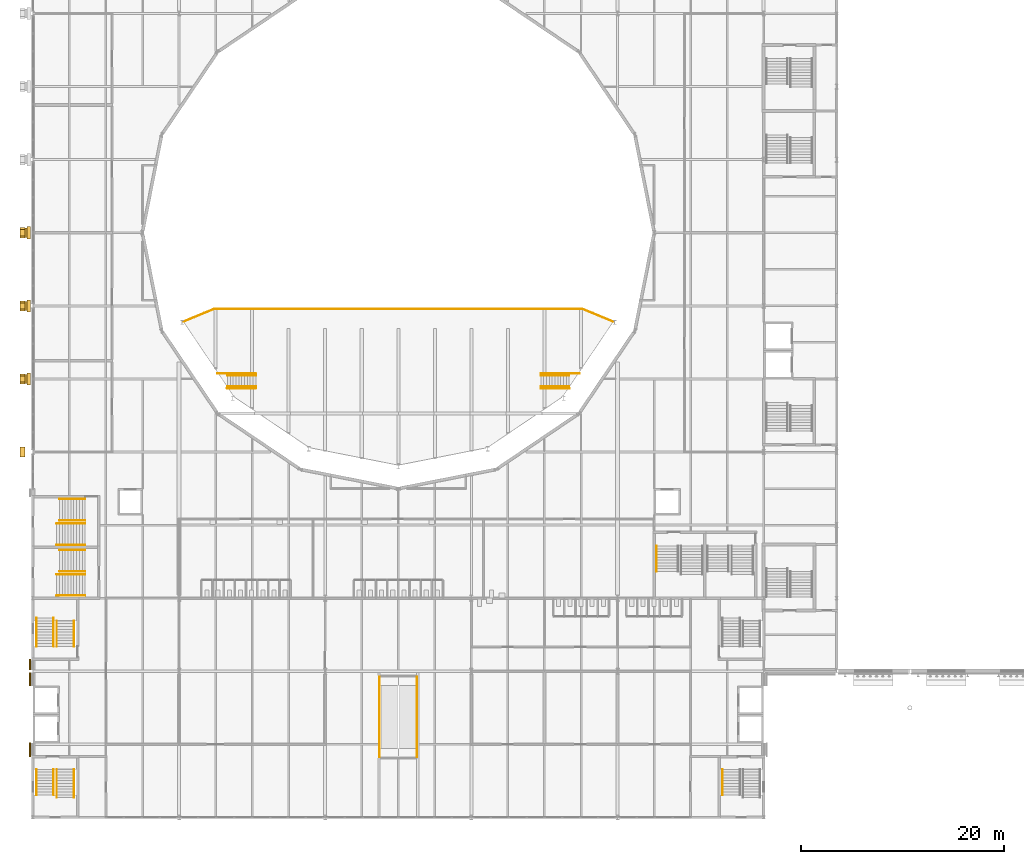
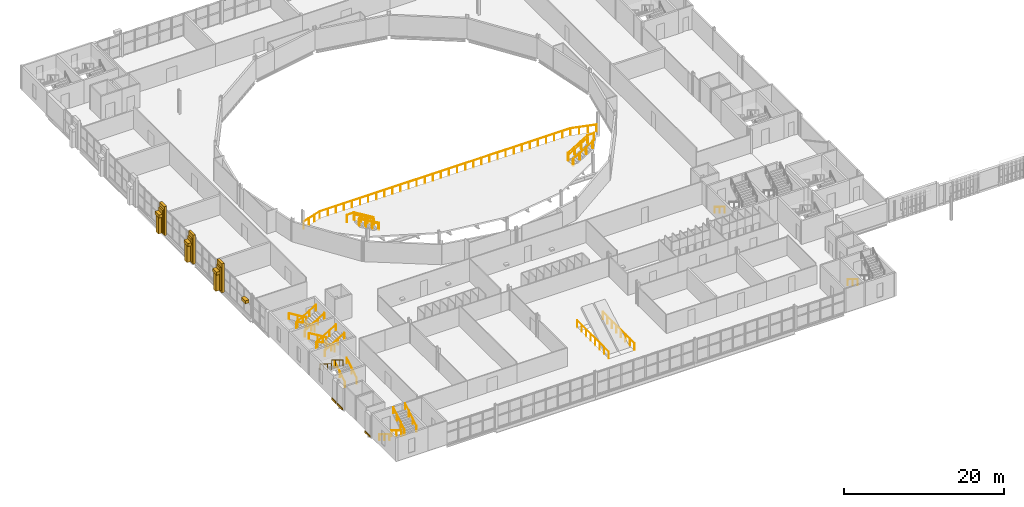
# One storey, part 101 of 124: 29 railings, 16 coverings.
"""IFC4 building model written with IfcOpenShell, lengths in metres."""

from ifc_helpers import new_model, si_unit, direction, frame, origin, origin_2d, place, context, subcontext, project, spatial, rectangle, circle, extrude, material, layer, layer_set, type_object, element, save


model = new_model("IFC4")

# Units and contexts
model_context = context("Model", 3, precision=1e-05, world=origin(), true_north=direction((0.0, 1.0)))
body_context = subcontext(model_context, "Body", "Model", "MODEL_VIEW")
ifc_project = project(units=[si_unit("LENGTHUNIT", "METRE"), si_unit("AREAUNIT", "SQUARE_METRE"), si_unit("VOLUMEUNIT", "CUBIC_METRE"), si_unit("PLANEANGLEUNIT", "RADIAN"), si_unit("MASSUNIT", "GRAM", prefix="KILO")], contexts=[model_context])

# Site, building, storey
site_placement = place(None, origin())
site = spatial("IfcSite", under=ifc_project, at=site_placement, CompositionType="ELEMENT")
building_placement = place(site_placement, origin())
building = spatial("IfcBuilding", under=site, at=building_placement, Name="Kupolbacken Congress Centre", CompositionType="ELEMENT")
storey_placement = place(building_placement, frame((0.0, 0.0, 10.800048828125)))
storey = spatial("IfcBuildingStorey", under=building, at=storey_placement, Name="L03", CompositionType="ELEMENT", Elevation=10.800048828125)

# Coverings
ifc_material_1 = material(Name="Brick cladding", Category="masonry")
ifc_layer_1 = layer(ifc_material_1, 0.10791015625)
ifc_layer_set_1 = layer_set([ifc_layer_1], Name="Brick cladding")
covering_type_1 = type_object("IfcCoveringType", Name="CV2 brick cladding band 108", PredefinedType="CLADDING", material=ifc_layer_set_1)
covering_1_placement = place(storey_placement, frame((6.916015625, 43.875, 0.0), z_axis=(0.0, 0.0, 1.0), x_axis=(0.0, -1.0, 0.0)))
element("IfcCovering", 1, at=covering_1_placement, inside=storey, type_object=covering_type_1, Name="E/F/W/L03/339/band", PredefinedType="CLADDING", context=body_context, shape_type="SweptSolid", body=[
    extrude(rectangle(XDim=1.050048828125, YDim=0.10791015625, at=origin_2d()), origin(), (0.0, 0.0, 1.0), 0.300048828125),
])
covering_2_placement = place(storey_placement, frame((6.916015625, 42.39990234375, 0.0), z_axis=(0.0, 0.0, 1.0), x_axis=(0.0, -1.0, 0.0)))
element("IfcCovering", 2, at=covering_2_placement, inside=storey, type_object=covering_type_1, Name="E/F/W/L03/340/band", PredefinedType="CLADDING", context=body_context, shape_type="SweptSolid", body=[
    extrude(rectangle(XDim=1.300048828125, YDim=0.10791015625, at=origin_2d()), origin(), (0.0, 0.0, 1.0), 0.300048828125),
])
covering_3_placement = place(storey_placement, frame((6.916015625, 35.47509765625, 0.0), z_axis=(0.0, 0.0, 1.0), x_axis=(0.0, -1.0, 0.0)))
element("IfcCovering", 3, at=covering_3_placement, inside=storey, type_object=covering_type_1, Name="E/F/W/L03/341/band", PredefinedType="CLADDING", context=body_context, shape_type="SweptSolid", body=[
    extrude(rectangle(XDim=1.35009765625, YDim=0.10791015625, at=origin_2d()), origin(), (0.0, 0.0, 1.0), 0.300048828125),
])
ifc_material_2 = material(Name="Limestone cladding", Category="masonry")
ifc_layer_2 = layer(ifc_material_2, 0.35009765625)
ifc_layer_set_2 = layer_set([ifc_layer_2], Name="Limestone cladding")
covering_type_2 = type_object("IfcCoveringType", Name="CV3 limestone pilaster strip 350", PredefinedType="CLADDING", material=ifc_layer_set_2)
for number, where, z_axis, x_axis, name in (
    (4, (6.804931640625, 72.0, 0.0), (0.0, 0.0, 1.0), (0.0, 1.0, 0.0), "F/P/W/pil/01/0"),
    (5, (6.804931640625, 79.199951171875, 0.0), (0.0, 0.0, 1.0), (0.0, 1.0, 0.0), "F/P/W/pil/02/0"),
    (6, (6.804931640625, 86.39990234375, 0.0), (0.0, 0.0, 1.0), (0.0, 1.0, 0.0), "F/P/W/pil/03/0"),
):
    element("IfcCovering", number, at=place(storey_placement, frame(where, z_axis=z_axis, x_axis=x_axis)), inside=storey, type_object=covering_type_2, Name=name, PredefinedType="CLADDING", context=body_context, shape_type="SweptSolid", body=[
        extrude(rectangle(XDim=1.199951171875, YDim=0.35009765625, at=origin_2d()), origin(), (0.0, 0.0, 1.0), 4.419921875),
    ])
ifc_material_3 = material(Name="Limestone cladding", Category="masonry")
ifc_layer_3 = layer(ifc_material_3, 0.5)
ifc_layer_set_3 = layer_set([ifc_layer_3], Name="Limestone cladding")
covering_type_3 = type_object("IfcCoveringType", Name="CV8 limestone drum pier 500", PredefinedType="CLADDING", material=ifc_layer_set_3)
covering_4_placement = place(storey_placement, frame((6.179931640625, 64.800048828125, 2.8701171875), z_axis=(0.0, 0.0, 1.0), x_axis=(0.0, 1.0, 0.0)))
element("IfcCovering", 7, at=covering_4_placement, inside=storey, type_object=covering_type_3, Name="F/HR/P/W/cap/00-0/0", PredefinedType="CLADDING", context=body_context, shape_type="SweptSolid", body=[
    extrude(rectangle(XDim=1.0, YDim=0.5, at=origin_2d()), origin(), (0.0, 0.0, 1.0), 0.449951171875),
])
covering_5_placement = place(storey_placement, frame((6.179931640625, 72.0, 0.2998046875), z_axis=(0.0, 0.0, 1.0), x_axis=(0.0, 1.0, 0.0)))
element("IfcCovering", 8, at=covering_5_placement, inside=storey, type_object=covering_type_3, Name="F/HR/P/W/butt/01-0/0", PredefinedType="CLADDING", context=body_context, shape_type="SweptSolid", body=[
    extrude(rectangle(XDim=0.60009765625, YDim=0.5, at=origin_2d()), origin(), (0.0, 0.0, 1.0), 2.570068359375),
])
covering_6_placement = place(storey_placement, frame((6.179931640625, 72.0, 2.8701171875), z_axis=(0.0, 0.0, 1.0), x_axis=(0.0, 1.0, 0.0)))
element("IfcCovering", 9, at=covering_6_placement, inside=storey, type_object=covering_type_3, Name="F/HR/P/W/cap/01-0/0", PredefinedType="CLADDING", context=body_context, shape_type="SweptSolid", body=[
    extrude(rectangle(XDim=1.0, YDim=0.5, at=origin_2d()), origin(), (0.0, 0.0, 1.0), 0.449951171875),
])
covering_7_placement = place(storey_placement, frame((6.179931640625, 79.199951171875, 0.2998046875), z_axis=(0.0, 0.0, 1.0), x_axis=(0.0, 1.0, 0.0)))
element("IfcCovering", 10, at=covering_7_placement, inside=storey, type_object=covering_type_3, Name="F/HR/P/W/butt/02-0/0", PredefinedType="CLADDING", context=body_context, shape_type="SweptSolid", body=[
    extrude(rectangle(XDim=0.60009765625, YDim=0.5, at=origin_2d()), origin(), (0.0, 0.0, 1.0), 2.570068359375),
])
covering_8_placement = place(storey_placement, frame((6.179931640625, 79.199951171875, 2.8701171875), z_axis=(0.0, 0.0, 1.0), x_axis=(0.0, 1.0, 0.0)))
element("IfcCovering", 11, at=covering_8_placement, inside=storey, type_object=covering_type_3, Name="F/HR/P/W/cap/02-0/0", PredefinedType="CLADDING", context=body_context, shape_type="SweptSolid", body=[
    extrude(rectangle(XDim=1.0, YDim=0.5, at=origin_2d()), origin(), (0.0, 0.0, 1.0), 0.449951171875),
])
covering_9_placement = place(storey_placement, frame((6.179931640625, 86.39990234375, 0.2998046875), z_axis=(0.0, 0.0, 1.0), x_axis=(0.0, 1.0, 0.0)))
element("IfcCovering", 12, at=covering_9_placement, inside=storey, type_object=covering_type_3, Name="F/HR/P/W/butt/03-0/0", PredefinedType="CLADDING", context=body_context, shape_type="SweptSolid", body=[
    extrude(rectangle(XDim=0.60009765625, YDim=0.5, at=origin_2d()), origin(), (0.0, 0.0, 1.0), 2.570068359375),
])
covering_10_placement = place(storey_placement, frame((6.179931640625, 86.39990234375, 2.8701171875), z_axis=(0.0, 0.0, 1.0), x_axis=(0.0, 1.0, 0.0)))
element("IfcCovering", 13, at=covering_10_placement, inside=storey, type_object=covering_type_3, Name="F/HR/P/W/cap/03-0/0", PredefinedType="CLADDING", context=body_context, shape_type="SweptSolid", body=[
    extrude(rectangle(XDim=1.0, YDim=0.5, at=origin_2d()), origin(), (0.0, 0.0, 1.0), 0.449951171875),
])
ifc_material_4 = material(Name="Limestone cladding", Category="masonry")
ifc_layer_4 = layer(ifc_material_4, 0.199951171875)
ifc_layer_set_4 = layer_set([ifc_layer_4], Name="Limestone cladding")
covering_type_4 = type_object("IfcCoveringType", Name="CV9 limestone drum arch frame 200", PredefinedType="CLADDING", material=ifc_layer_set_4)
for number, where, z_axis, x_axis, name in (
    (14, (6.530029296875, 72.0, 0.300048828125), (0.0, 0.0, 1.0), (0.0, 1.0, 0.0), "F/HR/P/W/rib/01-0/0"),
    (15, (6.530029296875, 79.199951171875, 0.300048828125), (0.0, 0.0, 1.0), (0.0, 1.0, 0.0), "F/HR/P/W/rib/02-0/0"),
    (16, (6.530029296875, 86.39990234375, 0.300048828125), (0.0, 0.0, 1.0), (0.0, 1.0, 0.0), "F/HR/P/W/rib/03-0/0"),
):
    element("IfcCovering", number, at=place(storey_placement, frame(where, z_axis=z_axis, x_axis=x_axis)), inside=storey, type_object=covering_type_4, Name=name, PredefinedType="CLADDING", context=body_context, shape_type="SweptSolid", body=[
        extrude(rectangle(XDim=0.89990234375, YDim=0.199951171875, at=origin_2d()), origin(), (0.0, 0.0, 1.0), 3.52001953125),
    ])

# Railings
ifc_material_5 = material(Name="Steel S235", Category="steel")
railing_type_1 = type_object("IfcRailingType", Name="RL1 guard 1100 steel balustrade", PredefinedType="GUARDRAIL", material=ifc_material_5)
for number, where, name in (
    (17, (41.35009765625, 34.76220703125, 0.0), "C/esc/guard/L03/W"),
    (18, (45.050048828125, 34.76220703125, 0.0), "C/esc/guard/L03/E"),
):
    element("IfcRailing", number, at=place(storey_placement, frame(where)), inside=storey, type_object=railing_type_1, Name=name, PredefinedType="GUARDRAIL", context=body_context, shape_type="SweptSolid", body=[
        extrude(circle(Radius=0.02392578125, at=origin_2d()), frame((0.0, 0.0, 1.076171875), z_axis=(0.0, 1.0, 0.0), x_axis=(-1.0, 0.0, 0.0)), (0.0, 0.0, 1.0), 7.87548828125),
        extrude(circle(Radius=0.02099609375, at=origin_2d()), origin(), (0.0, 0.0, 1.0), 1.052001953125),
        extrude(circle(Radius=0.02099609375, at=origin_2d()), frame((0.0, 1.125, 0.0)), (0.0, 0.0, 1.0), 1.052001953125),
        extrude(circle(Radius=0.02099609375, at=origin_2d()), frame((0.0, 2.250244140625, 0.0)), (0.0, 0.0, 1.0), 1.052001953125),
        extrude(circle(Radius=0.02099609375, at=origin_2d()), frame((0.0, 3.375244140625, 0.0)), (0.0, 0.0, 1.0), 1.052001953125),
        extrude(circle(Radius=0.02099609375, at=origin_2d()), frame((0.0, 4.500244140625, 0.0)), (0.0, 0.0, 1.0), 1.052001953125),
        extrude(circle(Radius=0.02099609375, at=origin_2d()), frame((0.0, 5.625244140625, 0.0)), (0.0, 0.0, 1.0), 1.052001953125),
        extrude(circle(Radius=0.02099609375, at=origin_2d()), frame((0.0, 6.75048828125, 0.0)), (0.0, 0.0, 1.0), 1.052001953125),
        extrude(circle(Radius=0.02099609375, at=origin_2d()), frame((0.0, 7.87548828125, 0.0)), (0.0, 0.0, 1.0), 1.052001953125),
    ])
railing_1_placement = place(storey_placement, frame((29.1669921875, 72.52001953125, 1.901611328125)))
element("IfcRailing", 19, at=railing_1_placement, inside=storey, type_object=railing_type_1, Name="PD/aisle/PA-B-1/Ga", PredefinedType="GUARDRAIL", context=body_context, shape_type="SweptSolid", body=[
    extrude(circle(Radius=0.02392578125, at=origin_2d()), frame((0.0, 0.0, 1.076171875), z_axis=(-0.855029557781, 0.0, 0.518579266189), x_axis=(0.0, -1.0, 0.0)), (0.0, 0.0, 1.0), 3.27490234375),
    extrude(circle(Radius=0.02392578125, at=origin_2d()), frame((-2.800048828125, 0.0, 2.7744140625), z_axis=(-1.0, 0.0, 0.0), x_axis=(0.0, -1.0, 0.0)), (0.0, 0.0, 1.0), 1.005859375),
    extrude(circle(Radius=0.02099609375, at=origin_2d()), origin(), (0.0, 0.0, 1.0), 1.052001953125),
    extrude(circle(Radius=0.02099609375, at=origin_2d()), frame((-0.933349609375, 0.0, 0.566162109375)), (0.0, 0.0, 1.0), 1.052001953125),
    extrude(circle(Radius=0.02099609375, at=origin_2d()), frame((-1.86669921875, 0.0, 1.132080078125)), (0.0, 0.0, 1.0), 1.052001953125),
    extrude(circle(Radius=0.02099609375, at=origin_2d()), frame((-2.800048828125, 0.0, 1.6982421875)), (0.0, 0.0, 1.0), 1.052001953125),
    extrude(circle(Radius=0.02099609375, at=origin_2d()), frame((-3.805908203125, 0.0, 1.6982421875)), (0.0, 0.0, 1.0), 1.052001953125),
])
railing_2_placement = place(storey_placement, frame((29.1669921875, 71.080078125, 1.901611328125)))
element("IfcRailing", 20, at=railing_2_placement, inside=storey, type_object=railing_type_1, Name="PD/aisle/PA-B-1/Gb", PredefinedType="GUARDRAIL", context=body_context, shape_type="SweptSolid", body=[
    extrude(circle(Radius=0.02392578125, at=origin_2d()), frame((0.0, 0.0, 1.076171875), z_axis=(-0.855029557781, 0.0, 0.518579266189), x_axis=(0.0, -1.0, 0.0)), (0.0, 0.0, 1.0), 3.27490234375),
    extrude(circle(Radius=0.02392578125, at=origin_2d()), frame((-2.800048828125, 0.0, 2.7744140625), z_axis=(-1.0, 0.0, 0.0), x_axis=(0.0, -1.0, 0.0)), (0.0, 0.0, 1.0), 0.0341796875),
    extrude(circle(Radius=0.02099609375, at=origin_2d()), origin(), (0.0, 0.0, 1.0), 1.052001953125),
    extrude(circle(Radius=0.02099609375, at=origin_2d()), frame((-0.933349609375, 0.0, 0.566162109375)), (0.0, 0.0, 1.0), 1.052001953125),
    extrude(circle(Radius=0.02099609375, at=origin_2d()), frame((-1.86669921875, 0.0, 1.132080078125)), (0.0, 0.0, 1.0), 1.052001953125),
    extrude(circle(Radius=0.02099609375, at=origin_2d()), frame((-2.800048828125, 0.0, 1.6982421875)), (0.0, 0.0, 1.0), 1.052001953125),
    extrude(circle(Radius=0.02099609375, at=origin_2d()), frame((-2.834228515625, 0.0, 1.6982421875)), (0.0, 0.0, 1.0), 1.052001953125),
])
railing_3_placement = place(storey_placement, frame((57.233154296875, 72.52001953125, 1.901611328125)))
element("IfcRailing", 21, at=railing_3_placement, inside=storey, type_object=railing_type_1, Name="PD/aisle/PA-B-2/Ga", PredefinedType="GUARDRAIL", context=body_context, shape_type="SweptSolid", body=[
    extrude(circle(Radius=0.02392578125, at=origin_2d()), frame((0.0, 0.0, 1.076171875), z_axis=(0.855029557781, 0.0, 0.518579266189), x_axis=(0.0, 1.0, 0.0)), (0.0, 0.0, 1.0), 3.27490234375),
    extrude(circle(Radius=0.02392578125, at=origin_2d()), frame((2.800048828125, 0.0, 2.7744140625), z_axis=(1.0, 0.0, 0.0), x_axis=(0.0, 1.0, 0.0)), (0.0, 0.0, 1.0), 1.005615234375),
    extrude(circle(Radius=0.02099609375, at=origin_2d()), origin(), (0.0, 0.0, 1.0), 1.052001953125),
    extrude(circle(Radius=0.02099609375, at=origin_2d()), frame((0.933349609375, 0.0, 0.566162109375)), (0.0, 0.0, 1.0), 1.052001953125),
    extrude(circle(Radius=0.02099609375, at=origin_2d()), frame((1.86669921875, 0.0, 1.132080078125)), (0.0, 0.0, 1.0), 1.052001953125),
    extrude(circle(Radius=0.02099609375, at=origin_2d()), frame((2.800048828125, 0.0, 1.6982421875)), (0.0, 0.0, 1.0), 1.052001953125),
    extrude(circle(Radius=0.02099609375, at=origin_2d()), frame((3.8056640625, 0.0, 1.6982421875)), (0.0, 0.0, 1.0), 1.052001953125),
])
railing_4_placement = place(storey_placement, frame((57.233154296875, 71.080078125, 1.901611328125)))
element("IfcRailing", 22, at=railing_4_placement, inside=storey, type_object=railing_type_1, Name="PD/aisle/PA-B-2/Gb", PredefinedType="GUARDRAIL", context=body_context, shape_type="SweptSolid", body=[
    extrude(circle(Radius=0.02392578125, at=origin_2d()), frame((0.0, 0.0, 1.076171875), z_axis=(0.855029557781, 0.0, 0.518579266189), x_axis=(0.0, 1.0, 0.0)), (0.0, 0.0, 1.0), 3.27490234375),
    extrude(circle(Radius=0.02392578125, at=origin_2d()), frame((2.800048828125, 0.0, 2.7744140625), z_axis=(1.0, 0.0, 0.0), x_axis=(0.0, 1.0, 0.0)), (0.0, 0.0, 1.0), 0.033935546875),
    extrude(circle(Radius=0.02099609375, at=origin_2d()), origin(), (0.0, 0.0, 1.0), 1.052001953125),
    extrude(circle(Radius=0.02099609375, at=origin_2d()), frame((0.933349609375, 0.0, 0.566162109375)), (0.0, 0.0, 1.0), 1.052001953125),
    extrude(circle(Radius=0.02099609375, at=origin_2d()), frame((1.86669921875, 0.0, 1.132080078125)), (0.0, 0.0, 1.0), 1.052001953125),
    extrude(circle(Radius=0.02099609375, at=origin_2d()), frame((2.800048828125, 0.0, 1.6982421875)), (0.0, 0.0, 1.0), 1.052001953125),
    extrude(circle(Radius=0.02099609375, at=origin_2d()), frame((2.833984375, 0.0, 1.6982421875)), (0.0, 0.0, 1.0), 1.052001953125),
])
railing_5_placement = place(storey_placement, frame((22.047119140625, 77.63818359375, 0.6318359375)))
element("IfcRailing", 23, at=railing_5_placement, inside=storey, type_object=railing_type_1, Name="PD/L03/balc/guard", PredefinedType="GUARDRAIL", context=body_context, shape_type="SweptSolid", body=[
    extrude(circle(Radius=0.02392578125, at=origin_2d()), frame((0.0, 0.0, 1.076171875), z_axis=(0.920927158793, 0.381419422715, -0.080077413631), x_axis=(-0.382648241093, 0.923894108428, 0.0)), (0.0, 0.0, 1.0), 3.307861328125),
    extrude(circle(Radius=0.02392578125, at=origin_2d()), frame((3.04638671875, 1.26171875, 0.81103515625), z_axis=(1.0, 0.0, 0.0), x_axis=(0.0, 1.0, 0.0)), (0.0, 0.0, 1.0), 36.213134765625),
    extrude(circle(Radius=0.02392578125, at=origin_2d()), frame((39.259521484375, 1.26171875, 0.81103515625), z_axis=(0.920915947316, -0.3814453487, 0.080082856683), x_axis=(0.38267441848, 0.923883266133, 0.0)), (0.0, 0.0, 1.0), 3.3076171875),
    extrude(circle(Radius=0.02099609375, at=origin_2d()), origin(), (0.0, 0.0, 1.0), 1.052001953125),
    extrude(circle(Radius=0.02099609375, at=origin_2d()), frame((1.015380859375, 0.420654296875, -0.08837890625)), (0.0, 0.0, 1.0), 1.052001953125),
    extrude(circle(Radius=0.02099609375, at=origin_2d()), frame((2.031005859375, 0.841064453125, -0.176513671875)), (0.0, 0.0, 1.0), 1.052001953125),
    extrude(circle(Radius=0.02099609375, at=origin_2d()), frame((3.04638671875, 1.26171875, -0.264892578125)), (0.0, 0.0, 1.0), 1.052001953125),
    extrude(circle(Radius=0.02099609375, at=origin_2d()), frame((4.214599609375, 1.26171875, -0.264892578125)), (0.0, 0.0, 1.0), 1.052001953125),
    extrude(circle(Radius=0.02099609375, at=origin_2d()), frame((5.3828125, 1.26171875, -0.264892578125)), (0.0, 0.0, 1.0), 1.052001953125),
    extrude(circle(Radius=0.02099609375, at=origin_2d()), frame((6.55078125, 1.26171875, -0.264892578125)), (0.0, 0.0, 1.0), 1.052001953125),
    extrude(circle(Radius=0.02099609375, at=origin_2d()), frame((7.718994140625, 1.26171875, -0.264892578125)), (0.0, 0.0, 1.0), 1.052001953125),
    extrude(circle(Radius=0.02099609375, at=origin_2d()), frame((8.88720703125, 1.26171875, -0.264892578125)), (0.0, 0.0, 1.0), 1.052001953125),
    extrude(circle(Radius=0.02099609375, at=origin_2d()), frame((10.055419921875, 1.26171875, -0.264892578125)), (0.0, 0.0, 1.0), 1.052001953125),
    extrude(circle(Radius=0.02099609375, at=origin_2d()), frame((11.2236328125, 1.26171875, -0.264892578125)), (0.0, 0.0, 1.0), 1.052001953125),
    extrude(circle(Radius=0.02099609375, at=origin_2d()), frame((12.3916015625, 1.26171875, -0.264892578125)), (0.0, 0.0, 1.0), 1.052001953125),
    extrude(circle(Radius=0.02099609375, at=origin_2d()), frame((13.559814453125, 1.26171875, -0.264892578125)), (0.0, 0.0, 1.0), 1.052001953125),
    extrude(circle(Radius=0.02099609375, at=origin_2d()), frame((14.72802734375, 1.26171875, -0.264892578125)), (0.0, 0.0, 1.0), 1.052001953125),
    extrude(circle(Radius=0.02099609375, at=origin_2d()), frame((15.896240234375, 1.26171875, -0.264892578125)), (0.0, 0.0, 1.0), 1.052001953125),
    extrude(circle(Radius=0.02099609375, at=origin_2d()), frame((17.064453125, 1.26171875, -0.264892578125)), (0.0, 0.0, 1.0), 1.052001953125),
    extrude(circle(Radius=0.02099609375, at=origin_2d()), frame((18.232421875, 1.26171875, -0.264892578125)), (0.0, 0.0, 1.0), 1.052001953125),
    extrude(circle(Radius=0.02099609375, at=origin_2d()), frame((19.400634765625, 1.26171875, -0.264892578125)), (0.0, 0.0, 1.0), 1.052001953125),
    extrude(circle(Radius=0.02099609375, at=origin_2d()), frame((20.56884765625, 1.26171875, -0.264892578125)), (0.0, 0.0, 1.0), 1.052001953125),
    extrude(circle(Radius=0.02099609375, at=origin_2d()), frame((21.737060546875, 1.26171875, -0.264892578125)), (0.0, 0.0, 1.0), 1.052001953125),
    extrude(circle(Radius=0.02099609375, at=origin_2d()), frame((22.9052734375, 1.26171875, -0.264892578125)), (0.0, 0.0, 1.0), 1.052001953125),
    extrude(circle(Radius=0.02099609375, at=origin_2d()), frame((24.073486328125, 1.26171875, -0.264892578125)), (0.0, 0.0, 1.0), 1.052001953125),
    extrude(circle(Radius=0.02099609375, at=origin_2d()), frame((25.241455078125, 1.26171875, -0.264892578125)), (0.0, 0.0, 1.0), 1.052001953125),
    extrude(circle(Radius=0.02099609375, at=origin_2d()), frame((26.40966796875, 1.26171875, -0.264892578125)), (0.0, 0.0, 1.0), 1.052001953125),
    extrude(circle(Radius=0.02099609375, at=origin_2d()), frame((27.577880859375, 1.26171875, -0.264892578125)), (0.0, 0.0, 1.0), 1.052001953125),
    extrude(circle(Radius=0.02099609375, at=origin_2d()), frame((28.74609375, 1.26171875, -0.264892578125)), (0.0, 0.0, 1.0), 1.052001953125),
    extrude(circle(Radius=0.02099609375, at=origin_2d()), frame((29.914306640625, 1.26171875, -0.264892578125)), (0.0, 0.0, 1.0), 1.052001953125),
    extrude(circle(Radius=0.02099609375, at=origin_2d()), frame((31.082275390625, 1.26171875, -0.264892578125)), (0.0, 0.0, 1.0), 1.052001953125),
    extrude(circle(Radius=0.02099609375, at=origin_2d()), frame((32.25048828125, 1.26171875, -0.264892578125)), (0.0, 0.0, 1.0), 1.052001953125),
    extrude(circle(Radius=0.02099609375, at=origin_2d()), frame((33.418701171875, 1.26171875, -0.264892578125)), (0.0, 0.0, 1.0), 1.052001953125),
    extrude(circle(Radius=0.02099609375, at=origin_2d()), frame((34.5869140625, 1.26171875, -0.264892578125)), (0.0, 0.0, 1.0), 1.052001953125),
    extrude(circle(Radius=0.02099609375, at=origin_2d()), frame((35.755126953125, 1.26171875, -0.264892578125)), (0.0, 0.0, 1.0), 1.052001953125),
    extrude(circle(Radius=0.02099609375, at=origin_2d()), frame((36.923095703125, 1.26171875, -0.264892578125)), (0.0, 0.0, 1.0), 1.052001953125),
    extrude(circle(Radius=0.02099609375, at=origin_2d()), frame((38.09130859375, 1.26171875, -0.264892578125)), (0.0, 0.0, 1.0), 1.052001953125),
    extrude(circle(Radius=0.02099609375, at=origin_2d()), frame((39.259521484375, 1.26171875, -0.264892578125)), (0.0, 0.0, 1.0), 1.052001953125),
    extrude(circle(Radius=0.02099609375, at=origin_2d()), frame((40.27490234375, 0.841064453125, -0.176513671875)), (0.0, 0.0, 1.0), 1.052001953125),
    extrude(circle(Radius=0.02099609375, at=origin_2d()), frame((41.290283203125, 0.420654296875, -0.08837890625)), (0.0, 0.0, 1.0), 1.052001953125),
    extrude(circle(Radius=0.02099609375, at=origin_2d()), frame((42.3056640625, 0.0, 0.0)), (0.0, 0.0, 1.0), 1.052001953125),
])
ifc_material_6 = material(Name="Steel S235", Category="steel")
railing_type_2 = type_object("IfcRailingType", Name="RL3 handrail wall-mounted 900", PredefinedType="HANDRAIL", material=ifc_material_6)
for number, where, name in (
    (24, (9.25, 33.544921875, 0.17138671875), "C/stair/FS1W/L03/HR1L"),
    (25, (7.550048828125, 33.544921875, 0.17138671875), "C/stair/FS1W/L03/HR1R"),
):
    element("IfcRailing", number, at=place(storey_placement, frame(where)), inside=storey, type_object=railing_type_2, Name=name, PredefinedType="HANDRAIL", context=body_context, shape_type="SweptSolid", body=[
        extrude(circle(Radius=0.02392578125, at=origin_2d()), frame((0.0, 0.0, 0.8759765625), z_axis=(0.0, -0.852836285881, 0.522178388565), x_axis=(1.0, 0.0, 0.0)), (0.0, 0.0, 1.0), 2.954833984375),
        extrude(circle(Radius=0.02099609375, at=origin_2d()), origin(), (0.0, 0.0, 1.0), 0.851806640625),
        extrude(circle(Radius=0.02099609375, at=origin_2d()), frame((0.0, -1.260009765625, 0.771484375)), (0.0, 0.0, 1.0), 0.851806640625),
        extrude(circle(Radius=0.02099609375, at=origin_2d()), frame((0.0, -2.52001953125, 1.54296875)), (0.0, 0.0, 1.0), 0.851806640625),
    ])
for number, where, name in (
    (26, (9.550048828125, 30.7451171875, 1.8857421875), "C/stair/FS1W/L03/HR2L"),
    (27, (11.25, 30.7451171875, 1.8857421875), "C/stair/FS1W/L03/HR2R"),
):
    element("IfcRailing", number, at=place(storey_placement, frame(where)), inside=storey, type_object=railing_type_2, Name=name, PredefinedType="HANDRAIL", context=body_context, shape_type="SweptSolid", body=[
        extrude(circle(Radius=0.02392578125, at=origin_2d()), frame((0.0, 0.0, 0.8759765625), z_axis=(0.0, 0.852858738594, 0.522141716399), x_axis=(-1.0, 0.0, 0.0)), (0.0, 0.0, 1.0), 3.282958984375),
        extrude(circle(Radius=0.02099609375, at=origin_2d()), origin(), (0.0, 0.0, 1.0), 0.851806640625),
        extrude(circle(Radius=0.02099609375, at=origin_2d()), frame((0.0, 0.933349609375, 0.5712890625)), (0.0, 0.0, 1.0), 0.851806640625),
        extrude(circle(Radius=0.02099609375, at=origin_2d()), frame((0.0, 1.866455078125, 1.142822265625)), (0.0, 0.0, 1.0), 0.851806640625),
        extrude(circle(Radius=0.02099609375, at=origin_2d()), frame((0.0, 2.7998046875, 1.714111328125)), (0.0, 0.0, 1.0), 0.851806640625),
    ])
for number, where, name in (
    (28, (9.550048828125, 45.655029296875, 0.17138671875), "C/stair/FS2W/L03/HR1L"),
    (29, (11.25, 45.655029296875, 0.17138671875), "C/stair/FS2W/L03/HR1R"),
):
    element("IfcRailing", number, at=place(storey_placement, frame(where)), inside=storey, type_object=railing_type_2, Name=name, PredefinedType="HANDRAIL", context=body_context, shape_type="SweptSolid", body=[
        extrude(circle(Radius=0.02392578125, at=origin_2d()), frame((0.0, 0.0, 0.8759765625), z_axis=(0.0, 0.852836285881, 0.522178388565), x_axis=(-1.0, 0.0, 0.0)), (0.0, 0.0, 1.0), 2.954833984375),
        extrude(circle(Radius=0.02099609375, at=origin_2d()), origin(), (0.0, 0.0, 1.0), 0.851806640625),
        extrude(circle(Radius=0.02099609375, at=origin_2d()), frame((0.0, 1.260009765625, 0.771484375)), (0.0, 0.0, 1.0), 0.851806640625),
        extrude(circle(Radius=0.02099609375, at=origin_2d()), frame((0.0, 2.52001953125, 1.54296875)), (0.0, 0.0, 1.0), 0.851806640625),
    ])
for number, where, name in (
    (30, (9.25, 48.455078125, 1.8857421875), "C/stair/FS2W/L03/HR2L"),
    (31, (7.550048828125, 48.455078125, 1.8857421875), "C/stair/FS2W/L03/HR2R"),
):
    element("IfcRailing", number, at=place(storey_placement, frame(where)), inside=storey, type_object=railing_type_2, Name=name, PredefinedType="HANDRAIL", context=body_context, shape_type="SweptSolid", body=[
        extrude(circle(Radius=0.02392578125, at=origin_2d()), frame((0.0, 0.0, 0.8759765625), z_axis=(0.0, -0.852879011914, 0.522108600807), x_axis=(1.0, 0.0, 0.0)), (0.0, 0.0, 1.0), 3.282958984375),
        extrude(circle(Radius=0.02099609375, at=origin_2d()), origin(), (0.0, 0.0, 1.0), 0.851806640625),
        extrude(circle(Radius=0.02099609375, at=origin_2d()), frame((0.0, -0.933349609375, 0.5712890625)), (0.0, 0.0, 1.0), 0.851806640625),
        extrude(circle(Radius=0.02099609375, at=origin_2d()), frame((0.0, -1.86669921875, 1.142822265625)), (0.0, 0.0, 1.0), 0.851806640625),
        extrude(circle(Radius=0.02099609375, at=origin_2d()), frame((0.0, -2.800048828125, 1.714111328125)), (0.0, 0.0, 1.0), 0.851806640625),
    ])
railing_6_placement = place(storey_placement, frame((75.14990234375, 33.544921875, 0.17138671875)))
element("IfcRailing", 32, at=railing_6_placement, inside=storey, type_object=railing_type_2, Name="C/stair/FS1E/L03/HR1R", PredefinedType="HANDRAIL", context=body_context, shape_type="SweptSolid", body=[
    extrude(circle(Radius=0.02392578125, at=origin_2d()), frame((0.0, 0.0, 0.8759765625), z_axis=(0.0, -0.852836285881, 0.522178388565), x_axis=(1.0, 0.0, 0.0)), (0.0, 0.0, 1.0), 2.954833984375),
    extrude(circle(Radius=0.02099609375, at=origin_2d()), origin(), (0.0, 0.0, 1.0), 0.851806640625),
    extrude(circle(Radius=0.02099609375, at=origin_2d()), frame((0.0, -1.260009765625, 0.771484375)), (0.0, 0.0, 1.0), 0.851806640625),
    extrude(circle(Radius=0.02099609375, at=origin_2d()), frame((0.0, -2.52001953125, 1.54296875)), (0.0, 0.0, 1.0), 0.851806640625),
])
for number, where, name in (
    (33, (12.344970703125, 53.050048828125, 0.17138671875), "C/stair/PS1SW/L03/HR1L"),
    (34, (12.344970703125, 55.14990234375, 0.17138671875), "C/stair/PS1SW/L03/HR1R"),
):
    element("IfcRailing", number, at=place(storey_placement, frame(where)), inside=storey, type_object=railing_type_2, Name=name, PredefinedType="HANDRAIL", context=body_context, shape_type="SweptSolid", body=[
        extrude(circle(Radius=0.02392578125, at=origin_2d()), frame((0.0, 0.0, 0.8759765625), z_axis=(-0.852836285881, 0.0, 0.522178388565), x_axis=(0.0, -1.0, 0.0)), (0.0, 0.0, 1.0), 2.954833984375),
        extrude(circle(Radius=0.02099609375, at=origin_2d()), origin(), (0.0, 0.0, 1.0), 0.851806640625),
        extrude(circle(Radius=0.02099609375, at=origin_2d()), frame((-1.260009765625, 0.0, 0.771484375)), (0.0, 0.0, 1.0), 0.851806640625),
        extrude(circle(Radius=0.02099609375, at=origin_2d()), frame((-2.52001953125, 0.0, 1.54296875)), (0.0, 0.0, 1.0), 0.851806640625),
    ])
for number, where, name in (
    (35, (9.544921875, 52.75, 1.8857421875), "C/stair/PS1SW/L03/HR2L"),
    (36, (9.544921875, 50.64990234375, 1.8857421875), "C/stair/PS1SW/L03/HR2R"),
):
    element("IfcRailing", number, at=place(storey_placement, frame(where)), inside=storey, type_object=railing_type_2, Name=name, PredefinedType="HANDRAIL", context=body_context, shape_type="SweptSolid", body=[
        extrude(circle(Radius=0.02392578125, at=origin_2d()), frame((0.0, 0.0, 0.8759765625), z_axis=(0.852879011914, 0.0, 0.522108600807), x_axis=(0.0, 1.0, 0.0)), (0.0, 0.0, 1.0), 3.282958984375),
        extrude(circle(Radius=0.02099609375, at=origin_2d()), origin(), (0.0, 0.0, 1.0), 0.851806640625),
        extrude(circle(Radius=0.02099609375, at=origin_2d()), frame((0.933349609375, 0.0, 0.5712890625)), (0.0, 0.0, 1.0), 0.851806640625),
        extrude(circle(Radius=0.02099609375, at=origin_2d()), frame((1.86669921875, 0.0, 1.142822265625)), (0.0, 0.0, 1.0), 0.851806640625),
        extrude(circle(Radius=0.02099609375, at=origin_2d()), frame((2.800048828125, 0.0, 1.714111328125)), (0.0, 0.0, 1.0), 0.851806640625),
    ])
for number, where, name in (
    (37, (12.344970703125, 58.050048828125, 0.17138671875), "C/stair/PS2SW/L03/HR1L"),
    (38, (12.344970703125, 60.14990234375, 0.17138671875), "C/stair/PS2SW/L03/HR1R"),
):
    element("IfcRailing", number, at=place(storey_placement, frame(where)), inside=storey, type_object=railing_type_2, Name=name, PredefinedType="HANDRAIL", context=body_context, shape_type="SweptSolid", body=[
        extrude(circle(Radius=0.02392578125, at=origin_2d()), frame((0.0, 0.0, 0.8759765625), z_axis=(-0.852836285881, 0.0, 0.522178388565), x_axis=(0.0, -1.0, 0.0)), (0.0, 0.0, 1.0), 2.954833984375),
        extrude(circle(Radius=0.02099609375, at=origin_2d()), origin(), (0.0, 0.0, 1.0), 0.851806640625),
        extrude(circle(Radius=0.02099609375, at=origin_2d()), frame((-1.260009765625, 0.0, 0.771484375)), (0.0, 0.0, 1.0), 0.851806640625),
        extrude(circle(Radius=0.02099609375, at=origin_2d()), frame((-2.52001953125, 0.0, 1.54296875)), (0.0, 0.0, 1.0), 0.851806640625),
    ])
for number, where, name in (
    (39, (9.544921875, 57.75, 1.8857421875), "C/stair/PS2SW/L03/HR2L"),
    (40, (9.544921875, 55.64990234375, 1.8857421875), "C/stair/PS2SW/L03/HR2R"),
):
    element("IfcRailing", number, at=place(storey_placement, frame(where)), inside=storey, type_object=railing_type_2, Name=name, PredefinedType="HANDRAIL", context=body_context, shape_type="SweptSolid", body=[
        extrude(circle(Radius=0.02392578125, at=origin_2d()), frame((0.0, 0.0, 0.8759765625), z_axis=(0.852879011914, 0.0, 0.522108600807), x_axis=(0.0, 1.0, 0.0)), (0.0, 0.0, 1.0), 3.282958984375),
        extrude(circle(Radius=0.02099609375, at=origin_2d()), origin(), (0.0, 0.0, 1.0), 0.851806640625),
        extrude(circle(Radius=0.02099609375, at=origin_2d()), frame((0.933349609375, 0.0, 0.5712890625)), (0.0, 0.0, 1.0), 0.851806640625),
        extrude(circle(Radius=0.02099609375, at=origin_2d()), frame((1.86669921875, 0.0, 1.142822265625)), (0.0, 0.0, 1.0), 0.851806640625),
        extrude(circle(Radius=0.02099609375, at=origin_2d()), frame((2.800048828125, 0.0, 1.714111328125)), (0.0, 0.0, 1.0), 0.851806640625),
    ])
railing_7_placement = place(storey_placement, frame((68.64990234375, 55.544921875, 0.17138671875)))
element("IfcRailing", 41, at=railing_7_placement, inside=storey, type_object=railing_type_2, Name="C/stair/PS1SE/L03/HR1R", PredefinedType="HANDRAIL", context=body_context, shape_type="SweptSolid", body=[
    extrude(circle(Radius=0.02392578125, at=origin_2d()), frame((0.0, 0.0, 0.8759765625), z_axis=(0.0, -0.852836285881, 0.522178388565), x_axis=(1.0, 0.0, 0.0)), (0.0, 0.0, 1.0), 2.954833984375),
    extrude(circle(Radius=0.02099609375, at=origin_2d()), origin(), (0.0, 0.0, 1.0), 0.851806640625),
    extrude(circle(Radius=0.02099609375, at=origin_2d()), frame((0.0, -1.260009765625, 0.771484375)), (0.0, 0.0, 1.0), 0.851806640625),
    extrude(circle(Radius=0.02099609375, at=origin_2d()), frame((0.0, -2.52001953125, 1.54296875)), (0.0, 0.0, 1.0), 0.851806640625),
])
for number, where, name in (
    (42, (29.1669921875, 71.25, 1.901611328125), "PD/aisle/PA-B-1/HR1L"),
    (43, (29.1669921875, 72.35009765625, 1.901611328125), "PD/aisle/PA-B-1/HR1R"),
):
    element("IfcRailing", number, at=place(storey_placement, frame(where)), inside=storey, type_object=railing_type_2, Name=name, PredefinedType="HANDRAIL", context=body_context, shape_type="SweptSolid", body=[
        extrude(circle(Radius=0.02392578125, at=origin_2d()), frame((0.0, 0.0, 0.8759765625), z_axis=(-0.855029557781, 0.0, 0.518579266189), x_axis=(0.0, -1.0, 0.0)), (0.0, 0.0, 1.0), 3.27490234375),
        extrude(circle(Radius=0.02099609375, at=origin_2d()), origin(), (0.0, 0.0, 1.0), 0.851806640625),
        extrude(circle(Radius=0.02099609375, at=origin_2d()), frame((-0.933349609375, 0.0, 0.566162109375)), (0.0, 0.0, 1.0), 0.851806640625),
        extrude(circle(Radius=0.02099609375, at=origin_2d()), frame((-1.86669921875, 0.0, 1.132080078125)), (0.0, 0.0, 1.0), 0.851806640625),
        extrude(circle(Radius=0.02099609375, at=origin_2d()), frame((-2.800048828125, 0.0, 1.6982421875)), (0.0, 0.0, 1.0), 0.851806640625),
    ])
for number, where, name in (
    (44, (57.233154296875, 72.35009765625, 1.901611328125), "PD/aisle/PA-B-2/HR1L"),
    (45, (57.233154296875, 71.25, 1.901611328125), "PD/aisle/PA-B-2/HR1R"),
):
    element("IfcRailing", number, at=place(storey_placement, frame(where)), inside=storey, type_object=railing_type_2, Name=name, PredefinedType="HANDRAIL", context=body_context, shape_type="SweptSolid", body=[
        extrude(circle(Radius=0.02392578125, at=origin_2d()), frame((0.0, 0.0, 0.8759765625), z_axis=(0.855029557781, 0.0, 0.518579266189), x_axis=(0.0, 1.0, 0.0)), (0.0, 0.0, 1.0), 3.27490234375),
        extrude(circle(Radius=0.02099609375, at=origin_2d()), origin(), (0.0, 0.0, 1.0), 0.851806640625),
        extrude(circle(Radius=0.02099609375, at=origin_2d()), frame((0.933349609375, 0.0, 0.566162109375)), (0.0, 0.0, 1.0), 0.851806640625),
        extrude(circle(Radius=0.02099609375, at=origin_2d()), frame((1.86669921875, 0.0, 1.132080078125)), (0.0, 0.0, 1.0), 0.851806640625),
        extrude(circle(Radius=0.02099609375, at=origin_2d()), frame((2.800048828125, 0.0, 1.6982421875)), (0.0, 0.0, 1.0), 0.851806640625),
    ])

save(model, "model.ifc")
